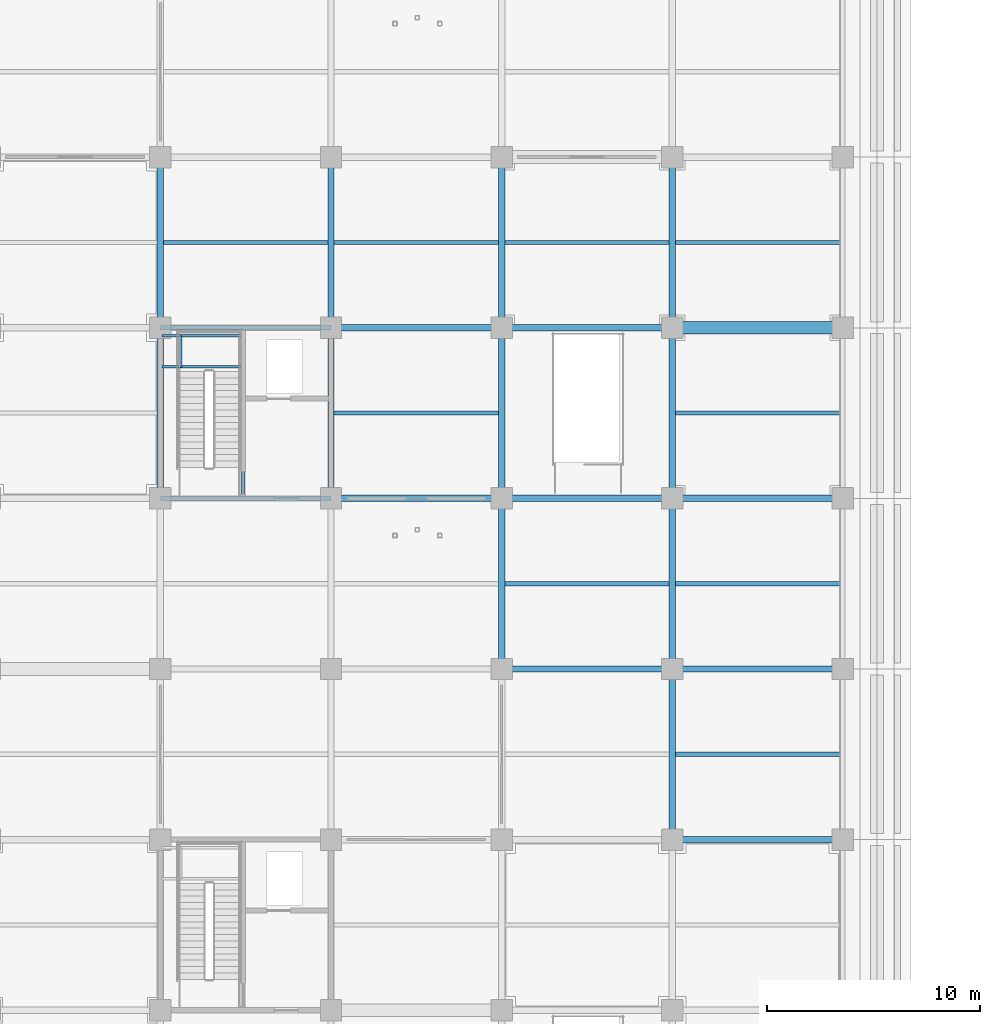
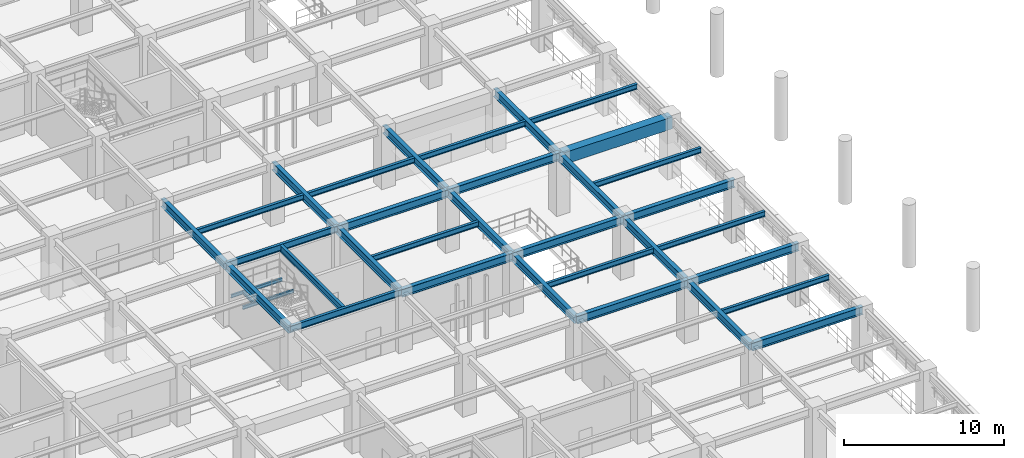
# One storey, part 21 of 117: 35 beams.
"""IFC4 building model written with IfcOpenShell, lengths in metres."""

from ifc_helpers import new_model, si_unit, direction, frame, origin, origin_2d, place, context, subcontext, project, spatial, rectangle, i_section, extrude, material, material_profile, profile_set, type_object, element, save


model = new_model("IFC4")

# Units and contexts
model_context = context("Model", 3, precision=1e-05, world=origin(), true_north=direction((0.0, 1.0)))
body_context = subcontext(model_context, "Body", "Model", "MODEL_VIEW")
ifc_project = project(units=[si_unit("LENGTHUNIT", "METRE"), si_unit("AREAUNIT", "SQUARE_METRE"), si_unit("VOLUMEUNIT", "CUBIC_METRE"), si_unit("PLANEANGLEUNIT", "RADIAN"), si_unit("MASSUNIT", "GRAM", prefix="KILO")], contexts=[model_context])

# Site, building, storey
site_placement = place(None, origin())
site = spatial("IfcSite", under=ifc_project, at=site_placement, CompositionType="ELEMENT")
building_placement = place(site_placement, origin())
building = spatial("IfcBuilding", under=site, at=building_placement, Name="Haebicheon Civic Stadium", CompositionType="ELEMENT")
storey_placement = place(building_placement, frame((0.0, 0.0, 4.800048828125)))
storey = spatial("IfcBuildingStorey", under=building, at=storey_placement, Name="L02", CompositionType="ELEMENT", Elevation=4.800048828125)

# Beams
ifc_material_1 = material(Name="Concrete C40/50", Category="concrete")
ifc_material_profile_1 = material_profile(ifc_material_1, rectangle(XDim=0.60009765625, YDim=0.89990234375, at=origin_2d()), Name="RC-BM-600x900")
ifc_profile_set_1 = profile_set([ifc_material_profile_1], Name="Concrete C40/50")
beam_type_1 = type_object("IfcBeamType", Name="BM-RC-600x900", PredefinedType="BEAM", material=ifc_profile_set_1)
beam_1_placement = place(storey_placement, frame((56.0, 88.0, 4.070068359375), z_axis=(1.0, 0.0, 0.0), x_axis=(0.0, 1.0, 0.0)))
element("IfcBeam", 1, at=beam_1_placement, inside=storey, type_object=beam_type_1, material=ifc_profile_set_1, Name="L02 beam M/8-9", PredefinedType="BEAM", context=body_context, shape_type="SweptSolid", body=[
    extrude(rectangle(XDim=0.60009765625, YDim=0.89990234375, at=origin_2d()), origin(), (0.0, 0.0, 1.0), 8.0),
])
ifc_material_2 = material(Name="Steel SM355 (S355)", Category="steel")
ifc_material_profile_2 = material_profile(ifc_material_2, i_section(OverallWidth=0.199951171875, OverallDepth=0.5, WebThickness=0.010009765625, FlangeThickness=0.01611328125, at=origin_2d()), Name="H-500x200x10x16")
ifc_profile_set_2 = profile_set([ifc_material_profile_2], Name="Steel SM355 (S355)")
beam_type_2 = type_object("IfcBeamType", Name="BM-ST-H500", PredefinedType="BEAM", material=ifc_profile_set_2)
for number, where, z_axis, x_axis, name in (
    (2, (32.0, 80.0, 4.27001953125), (1.0, 0.0, 0.0), (0.0, 1.0, 0.0), "L02 beam L/5-6"),
    (3, (32.0, 88.0, 4.27001953125), (1.0, 0.0, 0.0), (0.0, 1.0, 0.0), "L02 beam M/5-6"),
):
    element("IfcBeam", number, at=place(storey_placement, frame(where, z_axis=z_axis, x_axis=x_axis)), inside=storey, type_object=beam_type_2, material=ifc_profile_set_2, Name=name, PredefinedType="BEAM", context=body_context, shape_type="SweptSolid", body=[
        extrude(i_section(OverallWidth=0.199951171875, OverallDepth=0.5, WebThickness=0.010009765625, FlangeThickness=0.01611328125, at=origin_2d()), origin(), (0.0, 0.0, 1.0), 8.0),
    ])
beam_2_placement = place(storey_placement, frame((35.8798828125, 80.10009765625, 4.27001953125), z_axis=(0.0, 1.0, 0.0), x_axis=(-1.0, 0.0, 0.0)))
element("IfcBeam", 4, at=beam_2_placement, inside=storey, type_object=beam_type_2, material=ifc_profile_set_2, Name="L02 KC-03 core dividing wall support beam", PredefinedType="BEAM", context=body_context, shape_type="SweptSolid", body=[
    extrude(i_section(OverallWidth=0.199951171875, OverallDepth=0.5, WebThickness=0.010009765625, FlangeThickness=0.01611328125, at=origin_2d()), origin(), (0.0, 0.0, 1.0), 7.7998046875),
])
ifc_material_3 = material(Name="Steel SM355 (S355)", Category="steel")
ifc_material_profile_3 = material_profile(ifc_material_3, i_section(OverallWidth=0.300048828125, OverallDepth=0.60009765625, WebThickness=0.011962890625, FlangeThickness=0.02001953125, at=origin_2d()), Name="H-600x300x12x20")
ifc_profile_set_3 = profile_set([ifc_material_profile_3], Name="Steel SM355 (S355)")
beam_type_3 = type_object("IfcBeamType", Name="BM-ST-H600A", PredefinedType="BEAM", material=ifc_profile_set_3)
for number, where, z_axis, x_axis, name in (
    (5, (32.0, 80.0, 4.219970703125), (0.0, 1.0, 0.0), (-1.0, 0.0, 0.0), "L02 girder 5/L-M"),
    (6, (32.0, 88.0, 4.219970703125), (0.0, 1.0, 0.0), (-1.0, 0.0, 0.0), "L02 girder 5/M-N"),
    (7, (40.0, 80.0, 4.219970703125), (0.0, 1.0, 0.0), (-1.0, 0.0, 0.0), "L02 girder 6/L-M"),
    (8, (40.0, 88.0, 4.219970703125), (0.0, 1.0, 0.0), (-1.0, 0.0, 0.0), "L02 girder 6/M-N"),
    (9, (48.0, 72.0, 4.219970703125), (0.0, 1.0, 0.0), (-1.0, 0.0, 0.0), "L02 girder 7/K-L"),
    (10, (48.0, 80.0, 4.219970703125), (0.0, 1.0, 0.0), (-1.0, 0.0, 0.0), "L02 girder 7/L-M"),
    (11, (48.0, 88.0, 4.219970703125), (0.0, 1.0, 0.0), (-1.0, 0.0, 0.0), "L02 girder 7/M-N"),
    (12, (56.0, 64.0, 4.219970703125), (0.0, 1.0, 0.0), (-1.0, 0.0, 0.0), "L02 girder 8/J-K"),
    (13, (56.0, 72.0, 4.219970703125), (0.0, 1.0, 0.0), (-1.0, 0.0, 0.0), "L02 girder 8/K-L"),
    (14, (56.0, 80.0, 4.219970703125), (0.0, 1.0, 0.0), (-1.0, 0.0, 0.0), "L02 girder 8/L-M"),
    (15, (56.0, 88.0, 4.219970703125), (0.0, 1.0, 0.0), (-1.0, 0.0, 0.0), "L02 girder 8/M-N"),
    (16, (40.0, 80.0, 4.219970703125), (1.0, 0.0, 0.0), (0.0, 1.0, 0.0), "L02 beam L/6-7"),
    (17, (40.0, 88.0, 4.219970703125), (1.0, 0.0, 0.0), (0.0, 1.0, 0.0), "L02 beam M/6-7"),
    (18, (48.0, 72.0, 4.219970703125), (1.0, 0.0, 0.0), (0.0, 1.0, 0.0), "L02 beam K/7-8"),
    (19, (48.0, 80.0, 4.219970703125), (1.0, 0.0, 0.0), (0.0, 1.0, 0.0), "L02 beam L/7-8"),
    (20, (48.0, 88.0, 4.219970703125), (1.0, 0.0, 0.0), (0.0, 1.0, 0.0), "L02 beam M/7-8"),
    (21, (56.0, 64.0, 4.219970703125), (1.0, 0.0, 0.0), (0.0, 1.0, 0.0), "L02 beam J/8-9"),
    (22, (56.0, 72.0, 4.219970703125), (1.0, 0.0, 0.0), (0.0, 1.0, 0.0), "L02 beam K/8-9"),
    (23, (56.0, 80.0, 4.219970703125), (1.0, 0.0, 0.0), (0.0, 1.0, 0.0), "L02 beam L/8-9"),
):
    element("IfcBeam", number, at=place(storey_placement, frame(where, z_axis=z_axis, x_axis=x_axis)), inside=storey, type_object=beam_type_3, material=ifc_profile_set_3, Name=name, PredefinedType="BEAM", context=body_context, shape_type="SweptSolid", body=[
        extrude(i_section(OverallWidth=0.300048828125, OverallDepth=0.60009765625, WebThickness=0.011962890625, FlangeThickness=0.02001953125, at=origin_2d()), origin(), (0.0, 0.0, 1.0), 8.0),
    ])
ifc_material_4 = material(Name="Steel SM355 (S355)", Category="steel")
ifc_material_profile_4 = material_profile(ifc_material_4, i_section(OverallWidth=0.125, OverallDepth=0.25, WebThickness=0.006103515625, FlangeThickness=0.009033203125, at=origin_2d()), Name="H-250x125x6x9")
ifc_profile_set_4 = profile_set([ifc_material_profile_4], Name="Steel SM355 (S355)")
beam_type_4 = type_object("IfcBeamType", Name="JST-ST-H250", PredefinedType="JOIST", material=ifc_profile_set_4)
for number, where, z_axis, x_axis, name in (
    (24, (32.080078125, 86.169921875, 2.072021484375), (1.0, 0.0, 0.0), (0.0, 1.0, 0.0), "KC-03 L02 stair half-landing front trimmer beam"),
    (25, (32.080078125, 87.6201171875, 2.072021484375), (1.0, 0.0, 0.0), (0.0, 1.0, 0.0), "KC-03 L02 stair half-landing rear trimmer beam"),
):
    element("IfcBeam", number, at=place(storey_placement, frame(where, z_axis=z_axis, x_axis=x_axis)), inside=storey, type_object=beam_type_4, material=ifc_profile_set_4, Name=name, PredefinedType="JOIST", context=body_context, shape_type="SweptSolid", body=[
        extrude(i_section(OverallWidth=0.125, OverallDepth=0.25, WebThickness=0.006103515625, FlangeThickness=0.009033203125, at=origin_2d()), origin(), (0.0, 0.0, 1.0), 3.719970703125),
    ])
beam_3_placement = place(storey_placement, frame((32.9599609375, 86.169921875, 2.072021484375), z_axis=(0.0, 1.0, 0.0), x_axis=(-1.0, 0.0, 0.0)))
element("IfcBeam", 26, at=beam_3_placement, inside=storey, type_object=beam_type_4, material=ifc_profile_set_4, Name="KC-03 L02 stair half-landing transverse tie beam", PredefinedType="JOIST", context=body_context, shape_type="SweptSolid", body=[
    extrude(i_section(OverallWidth=0.125, OverallDepth=0.25, WebThickness=0.006103515625, FlangeThickness=0.009033203125, at=origin_2d()), origin(), (0.0, 0.0, 1.0), 1.4501953125),
])
ifc_material_5 = material(Name="Steel SM355 (S355)", Category="steel")
ifc_material_profile_5 = material_profile(ifc_material_5, i_section(OverallWidth=0.199951171875, OverallDepth=0.39990234375, WebThickness=0.008056640625, FlangeThickness=0.012939453125, at=origin_2d()), Name="H-400x200x8x13")
ifc_profile_set_5 = profile_set([ifc_material_profile_5], Name="Steel SM355 (S355)")
beam_type_5 = type_object("IfcBeamType", Name="JST-ST-H400", PredefinedType="JOIST", material=ifc_profile_set_5)
for number, where, z_axis, x_axis, name in (
    (27, (32.14990234375, 92.0, 4.320068359375), (1.0, 0.0, 0.0), (0.0, 1.0, 0.0), "L02 secondary joist 04-11"),
    (28, (40.14990234375, 84.0, 4.320068359375), (1.0, 0.0, 0.0), (0.0, 1.0, 0.0), "L02 secondary joist 05-10"),
    (29, (40.14990234375, 92.0, 4.320068359375), (1.0, 0.0, 0.0), (0.0, 1.0, 0.0), "L02 secondary joist 05-11"),
    (30, (48.14990234375, 76.0, 4.320068359375), (1.0, 0.0, 0.0), (0.0, 1.0, 0.0), "L02 secondary joist 06-09"),
    (31, (48.14990234375, 92.0, 4.320068359375), (1.0, 0.0, 0.0), (0.0, 1.0, 0.0), "L02 secondary joist 06-11"),
):
    element("IfcBeam", number, at=place(storey_placement, frame(where, z_axis=z_axis, x_axis=x_axis)), inside=storey, type_object=beam_type_5, material=ifc_profile_set_5, Name=name, PredefinedType="JOIST", context=body_context, shape_type="SweptSolid", body=[
        extrude(i_section(OverallWidth=0.199951171875, OverallDepth=0.39990234375, WebThickness=0.008056640625, FlangeThickness=0.012939453125, at=origin_2d()), origin(), (0.0, 0.0, 1.0), 7.7001953125),
    ])
for number, where, z_axis, x_axis, name in (
    (32, (56.14990234375, 68.0, 4.320068359375), (1.0, 0.0, 0.0), (0.0, 1.0, 0.0), "L02 secondary joist 07-08"),
    (33, (56.14990234375, 76.0, 4.320068359375), (1.0, 0.0, 0.0), (0.0, 1.0, 0.0), "L02 secondary joist 07-09"),
    (34, (56.14990234375, 84.0, 4.320068359375), (1.0, 0.0, 0.0), (0.0, 1.0, 0.0), "L02 secondary joist 07-10"),
    (35, (56.14990234375, 92.0, 4.320068359375), (1.0, 0.0, 0.0), (0.0, 1.0, 0.0), "L02 secondary joist 07-11"),
):
    element("IfcBeam", number, at=place(storey_placement, frame(where, z_axis=z_axis, x_axis=x_axis)), inside=storey, type_object=beam_type_5, material=ifc_profile_set_5, Name=name, PredefinedType="JOIST", context=body_context, shape_type="SweptSolid", body=[
        extrude(i_section(OverallWidth=0.199951171875, OverallDepth=0.39990234375, WebThickness=0.008056640625, FlangeThickness=0.012939453125, at=origin_2d()), origin(), (0.0, 0.0, 1.0), 7.75),
    ])

save(model, "model.ifc")
